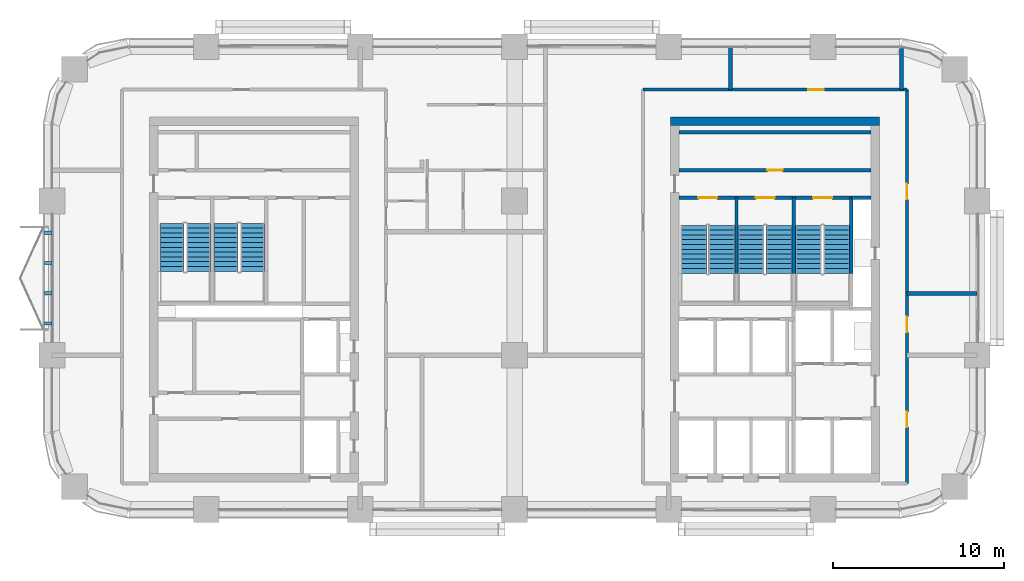
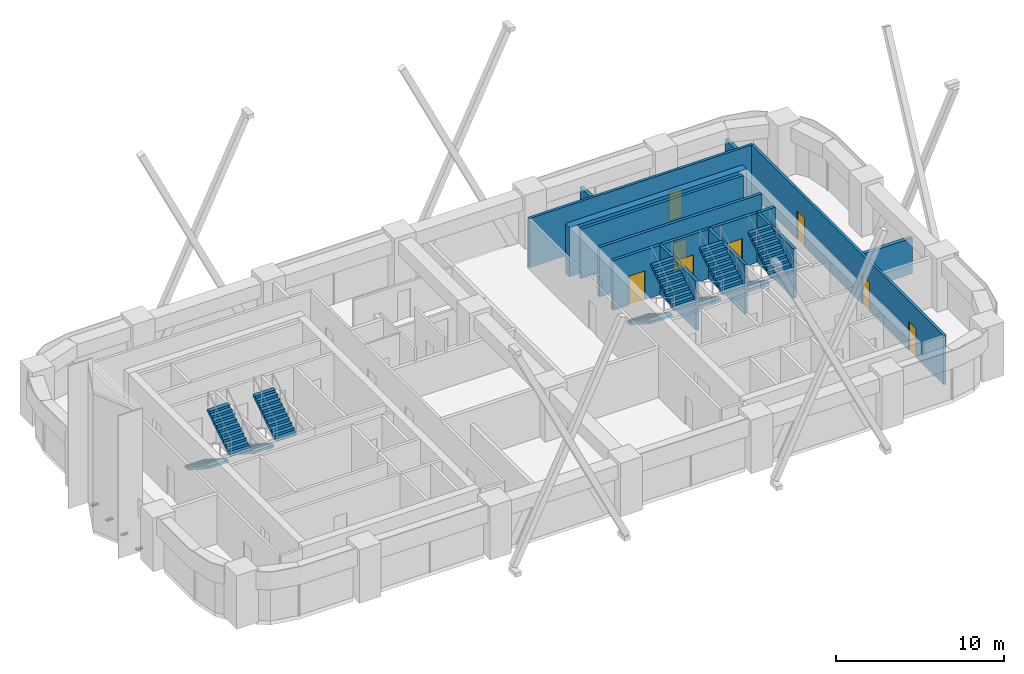
# One storey, part 11 of 13: 13 walls, 10 stair flights, 8 doors, 4 discrete accessories, 8 openings, 5 elements without a shape of their own.
"""IFC4 building model written with IfcOpenShell, lengths in metres."""

import ifcopenshell
import ifcopenshell.guid

model = None  # the IFC model being written
_history = None  # IfcOwnerHistory: only IFC2X3 demands one
_inside = {}  # id of a spatial element -> (the spatial element, [elements in it])
_under = {}  # id of a project, library or spatial element -> (it, [spatial elements below it])
_declared = {}  # id of a project -> (the project, [libraries it declares])
_typed = {}  # id of a type object -> (the type object, [elements of that type])
_made_of = {}  # id of a material, layer set ... -> (it, [elements and type objects made of it])


def new_model(schema):
    """Start an empty IFC model of exactly this schema.

    Asked for "IFC4X3", IfcOpenShell would pick the latest addendum, in which some entities
    have other attributes; the version numbers below select the first issue.
    IFC2X3 requires an IfcOwnerHistory on every rooted entity: one is made here for all.
    """
    global model, _history
    if schema == "IFC4X3":
        model = ifcopenshell.file(schema_version=(4, 3, 0, 0))
    else:
        model = ifcopenshell.file(schema=schema)
    _inside.clear()
    _under.clear()
    _declared.clear()
    _typed.clear()
    _made_of.clear()
    _history = None
    if model.schema == "IFC2X3":
        org = make("IfcOrganization", Name="unknown")
        user = make(
            "IfcPersonAndOrganization",
            ThePerson=make("IfcPerson", FamilyName="unknown"),
            TheOrganization=org,
        )
        app = make(
            "IfcApplication",
            ApplicationDeveloper=org,
            Version="unknown",
            ApplicationFullName="unknown",
            ApplicationIdentifier="unknown",
        )
        _history = make(
            "IfcOwnerHistory",
            OwningUser=user,
            OwningApplication=app,
            ChangeAction="ADDED",
            CreationDate=0,
        )
    return model


def make(cls, **values):
    """One entity of the class cls with the attributes given. An attribute that is None is left unset."""
    return model.create_entity(
        cls, **{name: value for name, value in values.items() if value is not None}
    )


def rooted(cls, **values):
    """An entity with a GlobalId (a new one), such as an element, a storey or a relation."""
    return make(cls, GlobalId=ifcopenshell.guid.new(), OwnerHistory=_history, **values)


def si_unit(unit_type, name, prefix=None):
    """IfcSIUnit, for example si_unit("LENGTHUNIT", "METRE", prefix="MILLI")."""
    return make("IfcSIUnit", UnitType=unit_type, Prefix=prefix, Name=name)


def assignment(units):
    """IfcUnitAssignment: the units of a project."""
    return None if units is None else make("IfcUnitAssignment", Units=units)


def point(xyz):
    """IfcCartesianPoint."""
    return None if xyz is None else make("IfcCartesianPoint", Coordinates=xyz)


def direction(xyz):
    """IfcDirection."""
    return None if xyz is None else make("IfcDirection", DirectionRatios=xyz)


def frame(location, z_axis=None, x_axis=None):
    """IfcAxis2Placement3D, a coordinate frame: its origin and axes. An axis left out is left unset."""
    return make(
        "IfcAxis2Placement3D",
        Location=point(location),
        Axis=direction(z_axis),
        RefDirection=direction(x_axis),
    )


def frame_2d(location, x_axis=None):
    """IfcAxis2Placement2D, a coordinate frame in the plane: its origin and x axis."""
    return make(
        "IfcAxis2Placement2D", Location=point(location), RefDirection=direction(x_axis)
    )


def origin():
    """The frame at (0, 0, 0) with its axes left unset."""
    return frame((0.0, 0.0, 0.0))


def origin_2d():
    """The frame at (0, 0) in the plane with its x axis left unset."""
    return frame_2d((0.0, 0.0))


def place(relative_to, where):
    """IfcLocalPlacement: puts the frame where relative to a parent placement (None: the world)."""
    return make(
        "IfcLocalPlacement", PlacementRelTo=relative_to, RelativePlacement=where
    )


def context(
    kind, dimensions, precision=None, world=None, true_north=None, identifier=None
):
    """IfcGeometricRepresentationContext, for example the 3D "Model" context."""
    return make(
        "IfcGeometricRepresentationContext",
        ContextIdentifier=identifier,
        ContextType=kind,
        CoordinateSpaceDimension=dimensions,
        Precision=precision,
        WorldCoordinateSystem=world,
        TrueNorth=true_north,
    )


def subcontext(parent, identifier, kind, view, scale=None):
    """IfcGeometricRepresentationSubContext, for example "Body" below "Model"."""
    return make(
        "IfcGeometricRepresentationSubContext",
        ContextIdentifier=identifier,
        ContextType=kind,
        ParentContext=parent,
        TargetScale=scale,
        TargetView=view,
    )


def project(units=None, contexts=None):
    """IfcProject with its units and contexts."""
    return rooted(
        "IfcProject",
        Name="project",
        RepresentationContexts=contexts,
        UnitsInContext=assignment(units),
    )


def spatial(cls, under=None, at=None, **own):
    """A site, building, storey or space (cls), placed at a placement, below another one or the project."""
    s = rooted(cls, ObjectPlacement=at, **own)
    if under is not None:
        _under.setdefault(under.id(), (under, []))[1].append(s)
    return s


def polyline(points):
    """IfcPolyline through the points."""
    return make("IfcPolyline", Points=[point(p) for p in points])


def profile(cls, at=None, kind="AREA", **sizes):
    """A parametric profile (cls). Its sizes go by their IFC names, for example OverallWidth=200.0."""
    return make(cls, ProfileType=kind, Position=at, **sizes)


def rectangle(**sizes):
    """IfcRectangleProfileDef."""
    return profile("IfcRectangleProfileDef", **sizes)


def outline(outer, holes=None, kind="AREA"):
    """IfcArbitraryClosedProfileDef: a profile drawn as a closed curve; with holes, ...WithVoids."""
    if holes is None:
        return make("IfcArbitraryClosedProfileDef", ProfileType=kind, OuterCurve=outer)
    return make(
        "IfcArbitraryProfileDefWithVoids",
        ProfileType=kind,
        OuterCurve=outer,
        InnerCurves=holes,
    )


def extrude(swept, where, along, depth):
    """IfcExtrudedAreaSolid: the profile swept, set in the frame where, extruded along a direction by depth."""
    return make(
        "IfcExtrudedAreaSolid",
        SweptArea=swept,
        Position=where,
        ExtrudedDirection=direction(along),
        Depth=depth,
    )


def shape(context_of_items, identifier, shape_type, items):
    """IfcShapeRepresentation: the items that make up one representation, for example the "Body"."""
    return make(
        "IfcShapeRepresentation",
        ContextOfItems=context_of_items,
        RepresentationIdentifier=identifier,
        RepresentationType=shape_type,
        Items=items,
    )


def material(Name=None, Category=None):
    """IfcMaterial."""
    return make("IfcMaterial", Name=Name, Category=Category)


def layer(
    of_material, thickness, ventilated=None, Name=None, Category=None, Priority=None
):
    """IfcMaterialLayer: one layer of a wall or slab, of a material (None: an air gap)."""
    return make(
        "IfcMaterialLayer",
        Material=of_material,
        LayerThickness=thickness,
        IsVentilated=ventilated,
        Name=Name,
        Category=Category,
        Priority=Priority,
    )


def layer_set(layers, Name=None):
    """IfcMaterialLayerSet."""
    return make("IfcMaterialLayerSet", MaterialLayers=layers, LayerSetName=Name)


def made_of(thing, what):
    """Note that an element or type object is made of a material, layer set ...; save() writes the relation."""
    if what is not None:
        _made_of.setdefault(what.id(), (what, []))[1].append(thing)
    return thing


def type_object(cls, material=None, **own):
    """A type object (cls), such as IfcWallType, which elements share."""
    return made_of(rooted(cls, **own), material)


def element(
    cls,
    number,
    at=None,
    inside=None,
    cuts=None,
    type_object=None,
    material=None,
    context=None,
    identifier="Body",
    shape_type=None,
    held_by="IfcProductDefinitionShape",
    body=None,
    shapes=None,
    **own,
):
    """One element of the class cls, such as IfcWall. Its Tag is "e" and its number.

    at: its placement. inside: the storey or other place that contains it. cuts: it is an
    opening in that element (IfcRelVoidsElement). A single representation is given by context,
    identifier, shape_type and body (its items); several are given by shapes. held_by: the class
    of the entity that holds the representations. save() writes the other relations.
    """
    e = rooted(cls, Tag="e%d" % number, ObjectPlacement=at, **own)
    if body is not None:
        shapes = [shape(context, identifier, shape_type, body)]
    if shapes is not None:
        e.Representation = make(held_by, Representations=shapes)
    if inside is not None:
        _inside.setdefault(inside.id(), (inside, []))[1].append(e)
    if cuts is not None:
        rooted(
            "IfcRelVoidsElement", RelatingBuildingElement=cuts, RelatedOpeningElement=e
        )
    if type_object is not None:
        _typed.setdefault(type_object.id(), (type_object, []))[1].append(e)
    return made_of(e, material)


def fill(opening, filler):
    """IfcRelFillsElement: the door or window that sits in an opening."""
    return rooted(
        "IfcRelFillsElement",
        RelatingOpeningElement=opening,
        RelatedBuildingElement=filler,
    )


def aggregate(whole, parts):
    """IfcRelAggregates: a whole, such as a stair, and the parts it consists of."""
    return rooted("IfcRelAggregates", RelatingObject=whole, RelatedObjects=parts)


def save(model, path):
    """Write the relations noted so far, then the file.

    IfcRelAggregates (storeys below a building ...), IfcRelContainedInSpatialStructure (elements
    in a storey), IfcRelDefinesByType, IfcRelAssociatesMaterial and IfcRelDeclares: one each for
    every whole, place, type object, material and project.
    """
    for whole, parts in _under.values():
        aggregate(whole, parts)
    for where, things in _inside.values():
        rooted(
            "IfcRelContainedInSpatialStructure",
            RelatedElements=things,
            RelatingStructure=where,
        )
    for kind, things in _typed.values():
        rooted("IfcRelDefinesByType", RelatedObjects=things, RelatingType=kind)
    for what, things in _made_of.values():
        rooted("IfcRelAssociatesMaterial", RelatedObjects=things, RelatingMaterial=what)
    for by, libraries in _declared.values():
        rooted("IfcRelDeclares", RelatingContext=by, RelatedDefinitions=libraries)
    model.write(path)


model = new_model("IFC4")

# Units and contexts
model_context = context("Model", 3, precision=1e-05, world=origin(), true_north=direction((0.0, 1.0)))
body_context = subcontext(model_context, "Body", "Model", "MODEL_VIEW")
ifc_project = project(units=[si_unit("LENGTHUNIT", "METRE"), si_unit("AREAUNIT", "SQUARE_METRE"), si_unit("VOLUMEUNIT", "CUBIC_METRE"), si_unit("PLANEANGLEUNIT", "RADIAN"), si_unit("MASSUNIT", "GRAM", prefix="KILO")], contexts=[model_context])

# Site, building, storey
site_placement = place(None, origin())
site = spatial("IfcSite", under=ifc_project, at=site_placement, CompositionType="ELEMENT")
building_placement = place(site_placement, origin())
building = spatial("IfcBuilding", under=site, at=building_placement, Name="Tessera Arch", CompositionType="ELEMENT")
storey_placement = place(building_placement, frame((0.0, 0.0, 166.10009765625)))
storey = spatial("IfcBuildingStorey", under=building, at=storey_placement, Name="L39", CompositionType="ELEMENT", Elevation=166.10009765625)

# Wall, opening, door
ifc_material_1 = material(Name="Gypsum board on steel stud", Category="steel")
ifc_layer_1 = layer(ifc_material_1, 0.125)
ifc_layer_set_1 = layer_set([ifc_layer_1], Name="Core partition 125 EI 60")
wall_type_1 = type_object("IfcWallType", Name="Core partition 125 EI 60", PredefinedType="PARTITIONING", material=ifc_layer_set_1)
wall_1_placement = place(storey_placement, frame((36.60009765625, 46.800048828125, 0.0), z_axis=(0.0, 0.0, 1.0), x_axis=(1.0, 0.0, 0.0)))
wall_1 = element("IfcWall", 1, at=wall_1_placement, inside=storey, type_object=wall_type_1, Name="L39 C1 partition wall 30", PredefinedType="PARTITIONING", context=body_context, shape_type="SweptSolid", body=[
    extrude(rectangle(XDim=11.199951171875, YDim=0.199951171875, at=frame_2d((5.60009765625, 0.0))), origin(), (0.0, 0.0, 1.0), 3.599853515625),
])
opening_1_placement = place(wall_1_placement, frame((5.14990234375, 0.0, 0.0)))
opening_1 = element("IfcOpeningElement", 2, at=opening_1_placement, cuts=wall_1, Name="Opening L39-C18", PredefinedType="OPENING", context=body_context, shape_type="SweptSolid", body=[
    extrude(rectangle(XDim=0.89990234375, YDim=2.10009765625, at=frame_2d((0.449951171875, 1.050048828125))), frame((0.0, 0.10986328125, 0.0), z_axis=(0.0, -1.0, 0.0), x_axis=(1.0, 0.0, 0.0)), (0.0, 0.0, 1.0), 0.219970703125),
])
ifc_material_2 = material(Name="Steel door leaf", Category="steel")
door_type_1 = type_object("IfcDoorType", Name="Store door FD30S 900 x 2100", OperationType="SINGLE_SWING_LEFT", PredefinedType="DOOR", material=ifc_material_2)
door_1_placement = place(opening_1_placement, origin())
door_1 = element("IfcDoor", 3, at=door_1_placement, inside=storey, type_object=door_type_1, Name="L39 C1 door 18 C18 type D09", OperationType="SINGLE_SWING_RIGHT", OverallHeight=2.10009765625, OverallWidth=0.89990234375, PredefinedType="DOOR", context=body_context, shape_type="SweptSolid", body=[
    extrude(rectangle(XDim=0.89990234375, YDim=2.10009765625, at=frame_2d((0.449951171875, 1.050048828125))), frame((0.0, 0.02490234375, 0.0), z_axis=(0.0, -1.0, 0.0), x_axis=(1.0, 0.0, 0.0)), (0.0, 0.0, 1.0), 0.050048828125),
])
fill(opening_1, door_1)

# Walls
wall_2_placement = place(storey_placement, frame((36.60009765625, 49.0, 0.0), z_axis=(0.0, 0.0, 1.0), x_axis=(1.0, 0.0, 0.0)))
element("IfcWall", 4, at=wall_2_placement, inside=storey, type_object=wall_type_1, Name="L39 C1 partition wall 31", PredefinedType="PARTITIONING", context=body_context, shape_type="SweptSolid", body=[
    extrude(rectangle(XDim=11.199951171875, YDim=0.199951171875, at=frame_2d((5.60009765625, 0.0))), origin(), (0.0, 0.0, 1.0), 3.599853515625),
])
ifc_material_3 = material(Name="Concrete C60/75", Category="concrete")
ifc_layer_2 = layer(ifc_material_3, 0.5)
ifc_layer_set_2 = layer_set([ifc_layer_2], Name="Core shell wall 500 C60-75")
wall_type_2 = type_object("IfcWallType", Name="Core shell wall 500 C60-75", PredefinedType="SHEAR", material=ifc_layer_set_2)
wall_3_placement = place(storey_placement, frame((36.10009765625, 49.64990234375, 0.0), z_axis=(0.0, 0.0, 1.0), x_axis=(1.0, 0.0, 0.0)))
element("IfcWall", 5, at=wall_3_placement, inside=storey, type_object=wall_type_2, Name="L39 C1 core wall N", PredefinedType="SHEAR", context=body_context, shape_type="SweptSolid", body=[
    extrude(rectangle(XDim=12.199951171875, YDim=0.5, at=frame_2d((6.10009765625, 0.0))), origin(), (0.0, 0.0, 1.0), 3.599853515625),
])

# Wall, opening, door
ifc_material_4 = material(Name="Gypsum board on deep steel stud with mineral wool", Category="steel")
ifc_layer_3 = layer(ifc_material_4, 0.175048828125)
ifc_layer_set_3 = layer_set([ifc_layer_3], Name="Corridor wall 175 EI 60")
wall_type_3 = type_object("IfcWallType", Name="Corridor wall 175 EI 60", PredefinedType="PARTITIONING", material=ifc_layer_set_3)
wall_4_placement = place(storey_placement, frame((34.5, 51.5, 0.0), z_axis=(0.0, 0.0, 1.0), x_axis=(1.0, 0.0, 0.0)))
wall_4 = element("IfcWall", 6, at=wall_4_placement, inside=storey, type_object=wall_type_3, Name="L39 partition 6", PredefinedType="PARTITIONING", context=body_context, shape_type="SweptSolid", body=[
    extrude(rectangle(XDim=15.39990234375, YDim=0.175048828125, at=frame_2d((7.699951171875, 0.0))), origin(), (0.0, 0.0, 1.0), 3.599853515625),
])
opening_2_placement = place(wall_4_placement, frame((9.637451171875, 0.0, 0.0)))
opening_2 = element("IfcOpeningElement", 7, at=opening_2_placement, cuts=wall_4, Name="Opening L39-D018", PredefinedType="OPENING", context=body_context, shape_type="SweptSolid", body=[
    extrude(rectangle(XDim=0.89990234375, YDim=2.10009765625, at=frame_2d((0.449951171875, 1.050048828125))), frame((0.0, 0.097412109375, 0.0), z_axis=(0.0, -1.0, 0.0), x_axis=(1.0, 0.0, 0.0)), (0.0, 0.0, 1.0), 0.195068359375),
])
ifc_material_5 = material(Name="Timber door leaf", Category="wood")
door_type_2 = type_object("IfcDoorType", Name="Room door 900 x 2100", OperationType="SINGLE_SWING_LEFT", PredefinedType="DOOR", material=ifc_material_5)
door_2_placement = place(opening_2_placement, origin())
door_2 = element("IfcDoor", 8, at=door_2_placement, inside=storey, type_object=door_type_2, Name="L39 door D018 type D01", OperationType="SINGLE_SWING_LEFT", OverallHeight=2.10009765625, OverallWidth=0.89990234375, PredefinedType="DOOR", context=body_context, shape_type="SweptSolid", body=[
    extrude(rectangle(XDim=0.89990234375, YDim=2.10009765625, at=frame_2d((0.449951171875, 1.050048828125))), frame((0.0, 0.02490234375, 0.0), z_axis=(0.0, -1.0, 0.0), x_axis=(1.0, 0.0, 0.0)), (0.0, 0.0, 1.0), 0.050048828125),
])
fill(opening_2, door_2)

# Wall, openings, doors
wall_5_placement = place(storey_placement, frame((49.89990234375, 28.5, 0.0), z_axis=(0.0, 0.0, 1.0), x_axis=(0.0, 1.0, 0.0)))
wall_5 = element("IfcWall", 9, at=wall_5_placement, inside=storey, type_object=wall_type_3, Name="L39 partition 10", PredefinedType="PARTITIONING", context=body_context, shape_type="SweptSolid", body=[
    extrude(rectangle(XDim=23.0, YDim=0.175048828125, at=frame_2d((11.5, 0.0))), origin(), (0.0, 0.0, 1.0), 3.599853515625),
])
opening_3_placement = place(wall_5_placement, frame((3.300048828125, 0.0, 0.0)))
opening_3 = element("IfcOpeningElement", 10, at=opening_3_placement, cuts=wall_5, Name="Opening L39-D002", PredefinedType="OPENING", context=body_context, shape_type="SweptSolid", body=[
    extrude(rectangle(XDim=0.89990234375, YDim=2.10009765625, at=frame_2d((0.449951171875, 1.050048828125))), frame((0.0, 0.097412109375, 0.0), z_axis=(0.0, -1.0, 0.0), x_axis=(1.0, 0.0, 0.0)), (0.0, 0.0, 1.0), 0.195068359375),
])
opening_4_placement = place(wall_5_placement, frame((8.85009765625, 0.0, 0.0)))
opening_4 = element("IfcOpeningElement", 11, at=opening_4_placement, cuts=wall_5, Name="Opening L39-D005", PredefinedType="OPENING", context=body_context, shape_type="SweptSolid", body=[
    extrude(rectangle(XDim=0.89990234375, YDim=2.10009765625, at=frame_2d((0.449951171875, 1.050048828125))), frame((0.0, 0.097412109375, 0.0), z_axis=(0.0, -1.0, 0.0), x_axis=(1.0, 0.0, 0.0)), (0.0, 0.0, 1.0), 0.195068359375),
])
opening_5_placement = place(wall_5_placement, frame((16.60009765625, 0.0, 0.0)))
opening_5 = element("IfcOpeningElement", 12, at=opening_5_placement, cuts=wall_5, Name="Opening L39-D009", PredefinedType="OPENING", context=body_context, shape_type="SweptSolid", body=[
    extrude(rectangle(XDim=0.89990234375, YDim=2.10009765625, at=frame_2d((0.449951171875, 1.050048828125))), frame((0.0, 0.097412109375, 0.0), z_axis=(0.0, -1.0, 0.0), x_axis=(1.0, 0.0, 0.0)), (0.0, 0.0, 1.0), 0.195068359375),
])
door_3_placement = place(opening_3_placement, origin())
door_3 = element("IfcDoor", 13, at=door_3_placement, inside=storey, type_object=door_type_2, Name="L39 door D002 type D01", OperationType="SINGLE_SWING_LEFT", OverallHeight=2.10009765625, OverallWidth=0.89990234375, PredefinedType="DOOR", context=body_context, shape_type="SweptSolid", body=[
    extrude(rectangle(XDim=0.89990234375, YDim=2.10009765625, at=frame_2d((0.449951171875, 1.050048828125))), frame((0.0, 0.02490234375, 0.0), z_axis=(0.0, -1.0, 0.0), x_axis=(1.0, 0.0, 0.0)), (0.0, 0.0, 1.0), 0.050048828125),
])
fill(opening_3, door_3)
door_4_placement = place(opening_4_placement, origin())
door_4 = element("IfcDoor", 14, at=door_4_placement, inside=storey, type_object=door_type_2, Name="L39 door D005 type D01", OperationType="SINGLE_SWING_RIGHT", OverallHeight=2.10009765625, OverallWidth=0.89990234375, PredefinedType="DOOR", context=body_context, shape_type="SweptSolid", body=[
    extrude(rectangle(XDim=0.89990234375, YDim=2.10009765625, at=frame_2d((0.449951171875, 1.050048828125))), frame((0.0, 0.02490234375, 0.0), z_axis=(0.0, -1.0, 0.0), x_axis=(1.0, 0.0, 0.0)), (0.0, 0.0, 1.0), 0.050048828125),
])
fill(opening_4, door_4)
door_5_placement = place(opening_5_placement, origin())
door_5 = element("IfcDoor", 15, at=door_5_placement, inside=storey, type_object=door_type_2, Name="L39 door D009 type D01", OperationType="SINGLE_SWING_RIGHT", OverallHeight=2.10009765625, OverallWidth=0.89990234375, PredefinedType="DOOR", context=body_context, shape_type="SweptSolid", body=[
    extrude(rectangle(XDim=0.89990234375, YDim=2.10009765625, at=frame_2d((0.449951171875, 1.050048828125))), frame((0.0, 0.02490234375, 0.0), z_axis=(0.0, -1.0, 0.0), x_axis=(1.0, 0.0, 0.0)), (0.0, 0.0, 1.0), 0.050048828125),
])
fill(opening_5, door_5)

# Walls
ifc_material_6 = material(Name="Double gypsum board on twin steel stud with acoustic mineral wool", Category="steel")
ifc_layer_4 = layer(ifc_material_6, 0.25)
ifc_layer_set_4 = layer_set([ifc_layer_4], Name="Party wall 250 EI 60")
wall_type_4 = type_object("IfcWallType", Name="Party wall 250 EI 60", PredefinedType="PARTITIONING", material=ifc_layer_set_4)
wall_6_placement = place(storey_placement, frame((49.89990234375, 39.60009765625, 0.0), z_axis=(0.0, 0.0, 1.0), x_axis=(1.0, 0.0, 0.0)))
element("IfcWall", 16, at=wall_6_placement, inside=storey, type_object=wall_type_4, Name="L39 partition 18", PredefinedType="PARTITIONING", context=body_context, shape_type="SweptSolid", body=[
    extrude(rectangle(XDim=4.10009765625, YDim=0.25, at=frame_2d((2.050048828125, 0.0))), origin(), (0.0, 0.0, 1.0), 2.599853515625),
])
wall_7_placement = place(storey_placement, frame((39.60009765625, 51.5, 0.0), z_axis=(0.0, 0.0, 1.0), x_axis=(0.0, 1.0, 0.0)))
element("IfcWall", 17, at=wall_7_placement, inside=storey, type_object=wall_type_4, Name="L39 partition 28", PredefinedType="PARTITIONING", context=body_context, shape_type="SweptSolid", body=[
    extrude(rectangle(XDim=2.5, YDim=0.25, at=frame_2d((1.25, 0.0))), origin(), (0.0, 0.0, 1.0), 2.599853515625),
])
wall_8_placement = place(storey_placement, frame((49.574951171875, 51.5, 0.0), z_axis=(0.0, 0.0, 1.0), x_axis=(0.0, 1.0, 0.0)))
element("IfcWall", 18, at=wall_8_placement, inside=storey, type_object=wall_type_4, Name="L39 partition 29", PredefinedType="PARTITIONING", context=body_context, shape_type="SweptSolid", body=[
    extrude(rectangle(XDim=2.485107421875, YDim=0.25, at=frame_2d((1.24267578125, 0.0))), origin(), (0.0, 0.0, 1.0), 2.599853515625),
])
ifc_material_7 = material(Name="Concrete C40/50", Category="concrete")
ifc_layer_5 = layer(ifc_material_7, 0.199951171875)
ifc_layer_set_5 = layer_set([ifc_layer_5], Name="Shaft wall 200 EI 120")
wall_type_5 = type_object("IfcWallType", Name="Shaft wall 200 EI 120", PredefinedType="SOLIDWALL", material=ifc_layer_set_5)
wall_9_placement = place(storey_placement, frame((46.64990234375, 45.199951171875, 0.0), z_axis=(0.0, 0.0, 1.0), x_axis=(1.0, 0.0, 0.0)))
element("IfcWall", 19, at=wall_9_placement, inside=storey, type_object=wall_type_5, Name="L39 C1 shaft wall 28", PredefinedType="SOLIDWALL", context=body_context, shape_type="SweptSolid", body=[
    extrude(rectangle(XDim=1.150146484375, YDim=0.199951171875, at=frame_2d((0.5751953125, 0.0))), origin(), (0.0, 0.0, 1.0), 3.599853515625),
])
ifc_material_8 = material(Name="Concrete C40/50", Category="concrete")
ifc_layer_6 = layer(ifc_material_8, 0.199951171875)
ifc_layer_set_6 = layer_set([ifc_layer_6], Name="Stair well wall 200 REI 180")
wall_type_6 = type_object("IfcWallType", Name="Stair well wall 200 REI 180", PredefinedType="SOLIDWALL", material=ifc_layer_set_6)
for number, where, z_axis, x_axis, name in (
    (20, (39.949951171875, 40.780029296875, 0.0), (0.0, 0.0, 1.0), (0.0, 1.0, 0.0), "L39 C1 shaft wall 4"),
    (21, (43.300048828125, 40.780029296875, 0.0), (0.0, 0.0, 1.0), (0.0, 1.0, 0.0), "L39 C1 shaft wall 11"),
    (22, (46.64990234375, 40.780029296875, 0.0), (0.0, 0.0, 1.0), (0.0, 1.0, 0.0), "L39 C1 shaft wall 16"),
):
    element("IfcWall", number, at=place(storey_placement, frame(where, z_axis=z_axis, x_axis=x_axis)), inside=storey, type_object=wall_type_6, Name=name, PredefinedType="SOLIDWALL", context=body_context, shape_type="SweptSolid", body=[
        extrude(rectangle(XDim=4.419921875, YDim=0.199951171875, at=frame_2d((2.2099609375, 0.0))), origin(), (0.0, 0.0, 1.0), 3.599853515625),
    ])

# Wall, openings, doors
wall_10_placement = place(storey_placement, frame((36.60009765625, 45.199951171875, 0.0), z_axis=(0.0, 0.0, 1.0), x_axis=(1.0, 0.0, 0.0)))
wall_10 = element("IfcWall", 23, at=wall_10_placement, inside=storey, type_object=wall_type_6, Name="L39 C1 shaft wall 29", PredefinedType="SOLIDWALL", context=body_context, shape_type="SweptSolid", body=[
    extrude(rectangle(XDim=10.0498046875, YDim=0.199951171875, at=frame_2d((5.02490234375, 0.0))), origin(), (0.0, 0.0, 1.0), 3.599853515625),
])
opening_6_placement = place(wall_10_placement, frame((1.125, 0.0, 0.0)))
opening_6 = element("IfcOpeningElement", 24, at=opening_6_placement, cuts=wall_10, Name="Opening L39-C11", PredefinedType="OPENING", context=body_context, shape_type="SweptSolid", body=[
    extrude(rectangle(XDim=1.10009765625, YDim=2.10009765625, at=frame_2d((0.550048828125, 1.050048828125))), frame((0.0, 0.10986328125, 0.0), z_axis=(0.0, -1.0, 0.0), x_axis=(1.0, 0.0, 0.0)), (0.0, 0.0, 1.0), 0.219970703125),
])
opening_7_placement = place(wall_10_placement, frame((4.47509765625, 0.0, 0.0)))
opening_7 = element("IfcOpeningElement", 25, at=opening_7_placement, cuts=wall_10, Name="Opening L39-C12", PredefinedType="OPENING", context=body_context, shape_type="SweptSolid", body=[
    extrude(rectangle(XDim=1.10009765625, YDim=2.10009765625, at=frame_2d((0.550048828125, 1.050048828125))), frame((0.0, 0.10986328125, 0.0), z_axis=(0.0, -1.0, 0.0), x_axis=(1.0, 0.0, 0.0)), (0.0, 0.0, 1.0), 0.219970703125),
])
opening_8_placement = place(wall_10_placement, frame((7.824951171875, 0.0, 0.0)))
opening_8 = element("IfcOpeningElement", 26, at=opening_8_placement, cuts=wall_10, Name="Opening L39-C13", PredefinedType="OPENING", context=body_context, shape_type="SweptSolid", body=[
    extrude(rectangle(XDim=1.10009765625, YDim=2.10009765625, at=frame_2d((0.550048828125, 1.050048828125))), frame((0.0, 0.10986328125, 0.0), z_axis=(0.0, -1.0, 0.0), x_axis=(1.0, 0.0, 0.0)), (0.0, 0.0, 1.0), 0.219970703125),
])
ifc_material_9 = material(Name="Steel door leaf", Category="steel")
door_type_3 = type_object("IfcDoorType", Name="Stair door FD60 1100 x 2100", OperationType="SINGLE_SWING_LEFT", PredefinedType="DOOR", material=ifc_material_9)
door_6_placement = place(opening_6_placement, origin())
door_6 = element("IfcDoor", 27, at=door_6_placement, inside=storey, type_object=door_type_3, Name="L39 C1 door 11 C11 type D05", OperationType="SINGLE_SWING_LEFT", OverallHeight=2.10009765625, OverallWidth=1.10009765625, PredefinedType="DOOR", context=body_context, shape_type="SweptSolid", body=[
    extrude(rectangle(XDim=1.10009765625, YDim=2.10009765625, at=frame_2d((0.550048828125, 1.050048828125))), frame((0.0, 0.02490234375, 0.0), z_axis=(0.0, -1.0, 0.0), x_axis=(1.0, 0.0, 0.0)), (0.0, 0.0, 1.0), 0.050048828125),
])
fill(opening_6, door_6)
door_7_placement = place(opening_7_placement, origin())
door_7 = element("IfcDoor", 28, at=door_7_placement, inside=storey, type_object=door_type_3, Name="L39 C1 door 12 C12 type D05", OperationType="SINGLE_SWING_RIGHT", OverallHeight=2.10009765625, OverallWidth=1.10009765625, PredefinedType="DOOR", context=body_context, shape_type="SweptSolid", body=[
    extrude(rectangle(XDim=1.10009765625, YDim=2.10009765625, at=frame_2d((0.550048828125, 1.050048828125))), frame((0.0, 0.02490234375, 0.0), z_axis=(0.0, -1.0, 0.0), x_axis=(1.0, 0.0, 0.0)), (0.0, 0.0, 1.0), 0.050048828125),
])
fill(opening_7, door_7)
door_8_placement = place(opening_8_placement, origin())
door_8 = element("IfcDoor", 29, at=door_8_placement, inside=storey, type_object=door_type_3, Name="L39 C1 door 13 C13 type D05", OperationType="SINGLE_SWING_RIGHT", OverallHeight=2.10009765625, OverallWidth=1.10009765625, PredefinedType="DOOR", context=body_context, shape_type="SweptSolid", body=[
    extrude(rectangle(XDim=1.10009765625, YDim=2.10009765625, at=frame_2d((0.550048828125, 1.050048828125))), frame((0.0, 0.02490234375, 0.0), z_axis=(0.0, -1.0, 0.0), x_axis=(1.0, 0.0, 0.0)), (0.0, 0.0, 1.0), 0.050048828125),
])
fill(opening_8, door_8)

# Stair, stair flights
ifc_material_10 = material(Name="Concrete C40/50", Category="concrete")
stair_type_1 = type_object("IfcStairType", Name="Dogleg stair 1400", PredefinedType="HALF_TURN_STAIR", material=ifc_material_10)
stair_1_placement = place(storey_placement, origin())
stair_1 = element("IfcStair", 30, at=stair_1_placement, inside=storey, type_object=stair_type_1, Name="L39 S2a", PredefinedType="HALF_TURN_STAIR")
ifc_material_11 = material(Name="Concrete C40/50", Category="concrete")
stair_flight_type_1 = type_object("IfcStairFlightType", Name="Stair flight 1400", PredefinedType="STRAIGHT", material=ifc_material_11)
stair_flight_1_placement = place(storey_placement, frame((7.0, 43.699951171875, 0.0), z_axis=(0.0, 0.0, 1.0), x_axis=(0.0, -1.0, 0.0)))
stair_flight_1 = element("IfcStairFlight", 31, at=stair_flight_1_placement, type_object=stair_flight_type_1, Name="S2a flight 1", NumberOfRisers=11, NumberOfTreads=10, PredefinedType="STRAIGHT", RiserHeight=0.177272727, TreadLength=0.28, context=body_context, shape_type="SweptSolid", body=[
    extrude(outline(polyline([(0.0, 0.0), (0.0, 0.17724609375), (0.280029296875, 0.17724609375), (0.280029296875, 0.3544921875), (0.56005859375, 0.3544921875), (0.56005859375, 0.53173828125), (0.840087890625, 0.53173828125), (0.840087890625, 0.708984375), (1.1201171875, 0.708984375), (1.1201171875, 0.886474609375), (1.39990234375, 0.886474609375), (1.39990234375, 1.063720703125), (1.679931640625, 1.063720703125), (1.679931640625, 1.240966796875), (1.9599609375, 1.240966796875), (1.9599609375, 1.418212890625), (2.239990234375, 1.418212890625), (2.239990234375, 1.595458984375), (2.52001953125, 1.595458984375), (2.52001953125, 1.772705078125), (2.800048828125, 1.772705078125), (2.800048828125, 1.949951171875), (2.800048828125, 1.59521484375), (0.2802734375, 0.0), (0.0, 0.0)])), frame((0.0, 0.699951171875, 0.0), z_axis=(0.0, -1.0, 0.0), x_axis=(1.0, 0.0, 0.0)), (0.0, 0.0, 1.0), 1.39990234375),
])
stair_flight_2_placement = place(storey_placement, frame((8.550048828125, 40.89990234375, 1.949951171875), z_axis=(0.0, 0.0, 1.0), x_axis=(0.0, 1.0, 0.0)))
stair_flight_2 = element("IfcStairFlight", 32, at=stair_flight_2_placement, type_object=stair_flight_type_1, Name="S2a flight 2", NumberOfRisers=11, NumberOfTreads=10, PredefinedType="STRAIGHT", RiserHeight=0.177272727, TreadLength=0.28, context=body_context, shape_type="SweptSolid", body=[
    extrude(outline(polyline([(0.0, 0.0), (0.0, 0.17724609375), (0.280029296875, 0.17724609375), (0.280029296875, 0.3544921875), (0.56005859375, 0.3544921875), (0.56005859375, 0.53173828125), (0.840087890625, 0.53173828125), (0.840087890625, 0.708984375), (1.1201171875, 0.708984375), (1.1201171875, 0.886474609375), (1.39990234375, 0.886474609375), (1.39990234375, 1.063720703125), (1.679931640625, 1.063720703125), (1.679931640625, 1.240966796875), (1.9599609375, 1.240966796875), (1.9599609375, 1.418212890625), (2.239990234375, 1.418212890625), (2.239990234375, 1.595458984375), (2.52001953125, 1.595458984375), (2.52001953125, 1.772705078125), (2.800048828125, 1.772705078125), (2.800048828125, 1.949951171875), (2.800048828125, 1.59521484375), (0.2802734375, 0.0), (0.0, 0.0)])), frame((0.0, 0.699951171875, 0.0), z_axis=(0.0, -1.0, 0.0), x_axis=(1.0, 0.0, 0.0)), (0.0, 0.0, 1.0), 1.39990234375),
])
aggregate(stair_1, [stair_flight_1, stair_flight_2])

stair_2_placement = place(storey_placement, origin())
stair_2 = element("IfcStair", 33, at=stair_2_placement, inside=storey, type_object=stair_type_1, Name="L39 S2b", PredefinedType="HALF_TURN_STAIR")
stair_flight_3_placement = place(storey_placement, frame((10.14990234375, 43.699951171875, 0.0), z_axis=(0.0, 0.0, 1.0), x_axis=(0.0, -1.0, 0.0)))
stair_flight_3 = element("IfcStairFlight", 34, at=stair_flight_3_placement, type_object=stair_flight_type_1, Name="S2b flight 1", NumberOfRisers=11, NumberOfTreads=10, PredefinedType="STRAIGHT", RiserHeight=0.177272727, TreadLength=0.28, context=body_context, shape_type="SweptSolid", body=[
    extrude(outline(polyline([(0.0, 0.0), (0.0, 0.17724609375), (0.280029296875, 0.17724609375), (0.280029296875, 0.3544921875), (0.56005859375, 0.3544921875), (0.56005859375, 0.53173828125), (0.840087890625, 0.53173828125), (0.840087890625, 0.708984375), (1.1201171875, 0.708984375), (1.1201171875, 0.886474609375), (1.39990234375, 0.886474609375), (1.39990234375, 1.063720703125), (1.679931640625, 1.063720703125), (1.679931640625, 1.240966796875), (1.9599609375, 1.240966796875), (1.9599609375, 1.418212890625), (2.239990234375, 1.418212890625), (2.239990234375, 1.595458984375), (2.52001953125, 1.595458984375), (2.52001953125, 1.772705078125), (2.800048828125, 1.772705078125), (2.800048828125, 1.949951171875), (2.800048828125, 1.59521484375), (0.2802734375, 0.0), (0.0, 0.0)])), frame((0.0, 0.699951171875, 0.0), z_axis=(0.0, -1.0, 0.0), x_axis=(1.0, 0.0, 0.0)), (0.0, 0.0, 1.0), 1.39990234375),
])
stair_flight_4_placement = place(storey_placement, frame((11.699951171875, 40.89990234375, 1.949951171875), z_axis=(0.0, 0.0, 1.0), x_axis=(0.0, 1.0, 0.0)))
stair_flight_4 = element("IfcStairFlight", 35, at=stair_flight_4_placement, type_object=stair_flight_type_1, Name="S2b flight 2", NumberOfRisers=11, NumberOfTreads=10, PredefinedType="STRAIGHT", RiserHeight=0.177272727, TreadLength=0.28, context=body_context, shape_type="SweptSolid", body=[
    extrude(outline(polyline([(0.0, 0.0), (0.0, 0.17724609375), (0.280029296875, 0.17724609375), (0.280029296875, 0.3544921875), (0.56005859375, 0.3544921875), (0.56005859375, 0.53173828125), (0.840087890625, 0.53173828125), (0.840087890625, 0.708984375), (1.1201171875, 0.708984375), (1.1201171875, 0.886474609375), (1.39990234375, 0.886474609375), (1.39990234375, 1.063720703125), (1.679931640625, 1.063720703125), (1.679931640625, 1.240966796875), (1.9599609375, 1.240966796875), (1.9599609375, 1.418212890625), (2.239990234375, 1.418212890625), (2.239990234375, 1.595458984375), (2.52001953125, 1.595458984375), (2.52001953125, 1.772705078125), (2.800048828125, 1.772705078125), (2.800048828125, 1.949951171875), (2.800048828125, 1.59521484375), (0.2802734375, 0.0), (0.0, 0.0)])), frame((0.0, 0.699951171875, 0.0), z_axis=(0.0, -1.0, 0.0), x_axis=(1.0, 0.0, 0.0)), (0.0, 0.0, 1.0), 1.39990234375),
])
aggregate(stair_2, [stair_flight_3, stair_flight_4])

ifc_material_12 = material(Name="Concrete C40/50", Category="concrete")
stair_type_2 = type_object("IfcStairType", Name="Dogleg stair 1520", PredefinedType="HALF_TURN_STAIR", material=ifc_material_12)
stair_3_placement = place(storey_placement, origin())
stair_3 = element("IfcStair", 36, at=stair_3_placement, inside=storey, type_object=stair_type_2, Name="L39 S1a", PredefinedType="HALF_TURN_STAIR")
ifc_material_13 = material(Name="Concrete C40/50", Category="concrete")
stair_flight_type_2 = type_object("IfcStairFlightType", Name="Stair flight 1520", PredefinedType="STRAIGHT", material=ifc_material_13)
stair_flight_5_placement = place(storey_placement, frame((37.4599609375, 43.580078125, 0.0), z_axis=(0.0, 0.0, 1.0), x_axis=(0.0, -1.0, 0.0)))
stair_flight_5 = element("IfcStairFlight", 37, at=stair_flight_5_placement, type_object=stair_flight_type_2, Name="S1a flight 1", NumberOfRisers=11, NumberOfTreads=10, PredefinedType="STRAIGHT", RiserHeight=0.177272727, TreadLength=0.28, context=body_context, shape_type="SweptSolid", body=[
    extrude(outline(polyline([(0.0, 0.0), (0.0, 0.17724609375), (0.280029296875, 0.17724609375), (0.280029296875, 0.3544921875), (0.56005859375, 0.3544921875), (0.56005859375, 0.53173828125), (0.840087890625, 0.53173828125), (0.840087890625, 0.708984375), (1.1201171875, 0.708984375), (1.1201171875, 0.886474609375), (1.39990234375, 0.886474609375), (1.39990234375, 1.063720703125), (1.679931640625, 1.063720703125), (1.679931640625, 1.240966796875), (1.9599609375, 1.240966796875), (1.9599609375, 1.418212890625), (2.239990234375, 1.418212890625), (2.239990234375, 1.595458984375), (2.52001953125, 1.595458984375), (2.52001953125, 1.772705078125), (2.800048828125, 1.772705078125), (2.800048828125, 1.949951171875), (2.800048828125, 1.59521484375), (0.2802734375, 0.0), (0.0, 0.0)])), frame((0.0, 0.760009765625, 0.0), z_axis=(0.0, -1.0, 0.0), x_axis=(1.0, 0.0, 0.0)), (0.0, 0.0, 1.0), 1.52001953125),
])
stair_flight_6_placement = place(storey_placement, frame((39.090087890625, 40.780029296875, 1.949951171875), z_axis=(0.0, 0.0, 1.0), x_axis=(0.0, 1.0, 0.0)))
stair_flight_6 = element("IfcStairFlight", 38, at=stair_flight_6_placement, type_object=stair_flight_type_2, Name="S1a flight 2", NumberOfRisers=11, NumberOfTreads=10, PredefinedType="STRAIGHT", RiserHeight=0.177272727, TreadLength=0.28, context=body_context, shape_type="SweptSolid", body=[
    extrude(outline(polyline([(0.0, 0.0), (0.0, 0.17724609375), (0.280029296875, 0.17724609375), (0.280029296875, 0.3544921875), (0.56005859375, 0.3544921875), (0.56005859375, 0.53173828125), (0.840087890625, 0.53173828125), (0.840087890625, 0.708984375), (1.1201171875, 0.708984375), (1.1201171875, 0.886474609375), (1.39990234375, 0.886474609375), (1.39990234375, 1.063720703125), (1.679931640625, 1.063720703125), (1.679931640625, 1.240966796875), (1.9599609375, 1.240966796875), (1.9599609375, 1.418212890625), (2.239990234375, 1.418212890625), (2.239990234375, 1.595458984375), (2.52001953125, 1.595458984375), (2.52001953125, 1.772705078125), (2.800048828125, 1.772705078125), (2.800048828125, 1.949951171875), (2.800048828125, 1.59521484375), (0.2802734375, 0.0), (0.0, 0.0)])), frame((0.0, 0.760009765625, 0.0), z_axis=(0.0, -1.0, 0.0), x_axis=(1.0, 0.0, 0.0)), (0.0, 0.0, 1.0), 1.52001953125),
])
aggregate(stair_3, [stair_flight_5, stair_flight_6])

stair_4_placement = place(storey_placement, origin())
stair_4 = element("IfcStair", 39, at=stair_4_placement, inside=storey, type_object=stair_type_2, Name="L39 S1b", PredefinedType="HALF_TURN_STAIR")
stair_flight_7_placement = place(storey_placement, frame((40.81005859375, 43.580078125, 0.0), z_axis=(0.0, 0.0, 1.0), x_axis=(0.0, -1.0, 0.0)))
stair_flight_7 = element("IfcStairFlight", 40, at=stair_flight_7_placement, type_object=stair_flight_type_2, Name="S1b flight 1", NumberOfRisers=11, NumberOfTreads=10, PredefinedType="STRAIGHT", RiserHeight=0.177272727, TreadLength=0.28, context=body_context, shape_type="SweptSolid", body=[
    extrude(outline(polyline([(0.0, 0.0), (0.0, 0.17724609375), (0.280029296875, 0.17724609375), (0.280029296875, 0.3544921875), (0.56005859375, 0.3544921875), (0.56005859375, 0.53173828125), (0.840087890625, 0.53173828125), (0.840087890625, 0.708984375), (1.1201171875, 0.708984375), (1.1201171875, 0.886474609375), (1.39990234375, 0.886474609375), (1.39990234375, 1.063720703125), (1.679931640625, 1.063720703125), (1.679931640625, 1.240966796875), (1.9599609375, 1.240966796875), (1.9599609375, 1.418212890625), (2.239990234375, 1.418212890625), (2.239990234375, 1.595458984375), (2.52001953125, 1.595458984375), (2.52001953125, 1.772705078125), (2.800048828125, 1.772705078125), (2.800048828125, 1.949951171875), (2.800048828125, 1.59521484375), (0.2802734375, 0.0), (0.0, 0.0)])), frame((0.0, 0.760009765625, 0.0), z_axis=(0.0, -1.0, 0.0), x_axis=(1.0, 0.0, 0.0)), (0.0, 0.0, 1.0), 1.52001953125),
])
stair_flight_8_placement = place(storey_placement, frame((42.43994140625, 40.780029296875, 1.949951171875), z_axis=(0.0, 0.0, 1.0), x_axis=(0.0, 1.0, 0.0)))
stair_flight_8 = element("IfcStairFlight", 41, at=stair_flight_8_placement, type_object=stair_flight_type_2, Name="S1b flight 2", NumberOfRisers=11, NumberOfTreads=10, PredefinedType="STRAIGHT", RiserHeight=0.177272727, TreadLength=0.28, context=body_context, shape_type="SweptSolid", body=[
    extrude(outline(polyline([(0.0, 0.0), (0.0, 0.17724609375), (0.280029296875, 0.17724609375), (0.280029296875, 0.3544921875), (0.56005859375, 0.3544921875), (0.56005859375, 0.53173828125), (0.840087890625, 0.53173828125), (0.840087890625, 0.708984375), (1.1201171875, 0.708984375), (1.1201171875, 0.886474609375), (1.39990234375, 0.886474609375), (1.39990234375, 1.063720703125), (1.679931640625, 1.063720703125), (1.679931640625, 1.240966796875), (1.9599609375, 1.240966796875), (1.9599609375, 1.418212890625), (2.239990234375, 1.418212890625), (2.239990234375, 1.595458984375), (2.52001953125, 1.595458984375), (2.52001953125, 1.772705078125), (2.800048828125, 1.772705078125), (2.800048828125, 1.949951171875), (2.800048828125, 1.59521484375), (0.2802734375, 0.0), (0.0, 0.0)])), frame((0.0, 0.760009765625, 0.0), z_axis=(0.0, -1.0, 0.0), x_axis=(1.0, 0.0, 0.0)), (0.0, 0.0, 1.0), 1.52001953125),
])
aggregate(stair_4, [stair_flight_7, stair_flight_8])

stair_5_placement = place(storey_placement, origin())
stair_5 = element("IfcStair", 42, at=stair_5_placement, inside=storey, type_object=stair_type_2, Name="L39 S1c", PredefinedType="HALF_TURN_STAIR")
stair_flight_9_placement = place(storey_placement, frame((44.159912109375, 43.580078125, 0.0), z_axis=(0.0, 0.0, 1.0), x_axis=(0.0, -1.0, 0.0)))
stair_flight_9 = element("IfcStairFlight", 43, at=stair_flight_9_placement, type_object=stair_flight_type_2, Name="S1c flight 1", NumberOfRisers=11, NumberOfTreads=10, PredefinedType="STRAIGHT", RiserHeight=0.177272727, TreadLength=0.28, context=body_context, shape_type="SweptSolid", body=[
    extrude(outline(polyline([(0.0, 0.0), (0.0, 0.17724609375), (0.280029296875, 0.17724609375), (0.280029296875, 0.3544921875), (0.56005859375, 0.3544921875), (0.56005859375, 0.53173828125), (0.840087890625, 0.53173828125), (0.840087890625, 0.708984375), (1.1201171875, 0.708984375), (1.1201171875, 0.886474609375), (1.39990234375, 0.886474609375), (1.39990234375, 1.063720703125), (1.679931640625, 1.063720703125), (1.679931640625, 1.240966796875), (1.9599609375, 1.240966796875), (1.9599609375, 1.418212890625), (2.239990234375, 1.418212890625), (2.239990234375, 1.595458984375), (2.52001953125, 1.595458984375), (2.52001953125, 1.772705078125), (2.800048828125, 1.772705078125), (2.800048828125, 1.949951171875), (2.800048828125, 1.59521484375), (0.2802734375, 0.0), (0.0, 0.0)])), frame((0.0, 0.760009765625, 0.0), z_axis=(0.0, -1.0, 0.0), x_axis=(1.0, 0.0, 0.0)), (0.0, 0.0, 1.0), 1.52001953125),
])
stair_flight_10_placement = place(storey_placement, frame((45.7900390625, 40.780029296875, 1.949951171875), z_axis=(0.0, 0.0, 1.0), x_axis=(0.0, 1.0, 0.0)))
stair_flight_10 = element("IfcStairFlight", 44, at=stair_flight_10_placement, type_object=stair_flight_type_2, Name="S1c flight 2", NumberOfRisers=11, NumberOfTreads=10, PredefinedType="STRAIGHT", RiserHeight=0.177272727, TreadLength=0.28, context=body_context, shape_type="SweptSolid", body=[
    extrude(outline(polyline([(0.0, 0.0), (0.0, 0.17724609375), (0.280029296875, 0.17724609375), (0.280029296875, 0.3544921875), (0.56005859375, 0.3544921875), (0.56005859375, 0.53173828125), (0.840087890625, 0.53173828125), (0.840087890625, 0.708984375), (1.1201171875, 0.708984375), (1.1201171875, 0.886474609375), (1.39990234375, 0.886474609375), (1.39990234375, 1.063720703125), (1.679931640625, 1.063720703125), (1.679931640625, 1.240966796875), (1.9599609375, 1.240966796875), (1.9599609375, 1.418212890625), (2.239990234375, 1.418212890625), (2.239990234375, 1.595458984375), (2.52001953125, 1.595458984375), (2.52001953125, 1.772705078125), (2.800048828125, 1.772705078125), (2.800048828125, 1.949951171875), (2.800048828125, 1.59521484375), (0.2802734375, 0.0), (0.0, 0.0)])), frame((0.0, 0.760009765625, 0.0), z_axis=(0.0, -1.0, 0.0), x_axis=(1.0, 0.0, 0.0)), (0.0, 0.0, 1.0), 1.52001953125),
])
aggregate(stair_5, [stair_flight_9, stair_flight_10])

# Discrete accessories
for number, where, z_axis, x_axis, name in (
    (45, (-0.219970703125, 43.14990234375, -0.1201171875), (0.0, 0.0, 1.0), (-1.0, 0.0, 0.0), "Window box bracket"),
    (46, (-0.219970703125, 41.38330078125, -0.1201171875), (0.0, 0.0, 1.0), (-1.0, 0.0, 0.0), "Window box bracket"),
    (47, (-0.219970703125, 39.61669921875, -0.1201171875), (0.0, 0.0, 1.0), (-1.0, 0.0, 0.0), "Window box bracket"),
    (48, (-0.219970703125, 37.85009765625, -0.1201171875), (0.0, 0.0, 1.0), (-1.0, 0.0, 0.0), "Window box bracket"),
):
    element("IfcDiscreteAccessory", number, at=place(storey_placement, frame(where, z_axis=z_axis, x_axis=x_axis)), inside=storey, Name=name, PredefinedType="BRACKET", context=body_context, shape_type="SweptSolid", body=[
        extrude(rectangle(XDim=0.43994140625, YDim=0.199951171875, at=origin_2d()), origin(), (0.0, 0.0, 1.0), 0.1201171875),
    ])

save(model, "model.ifc")
